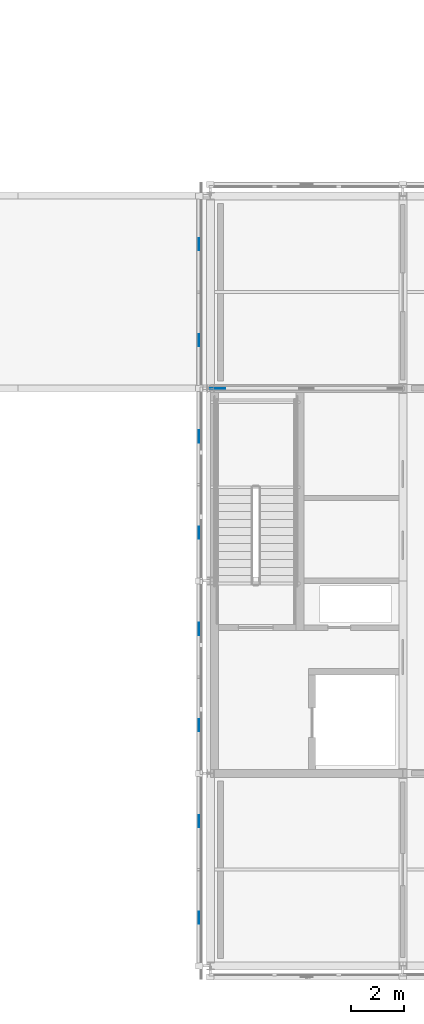
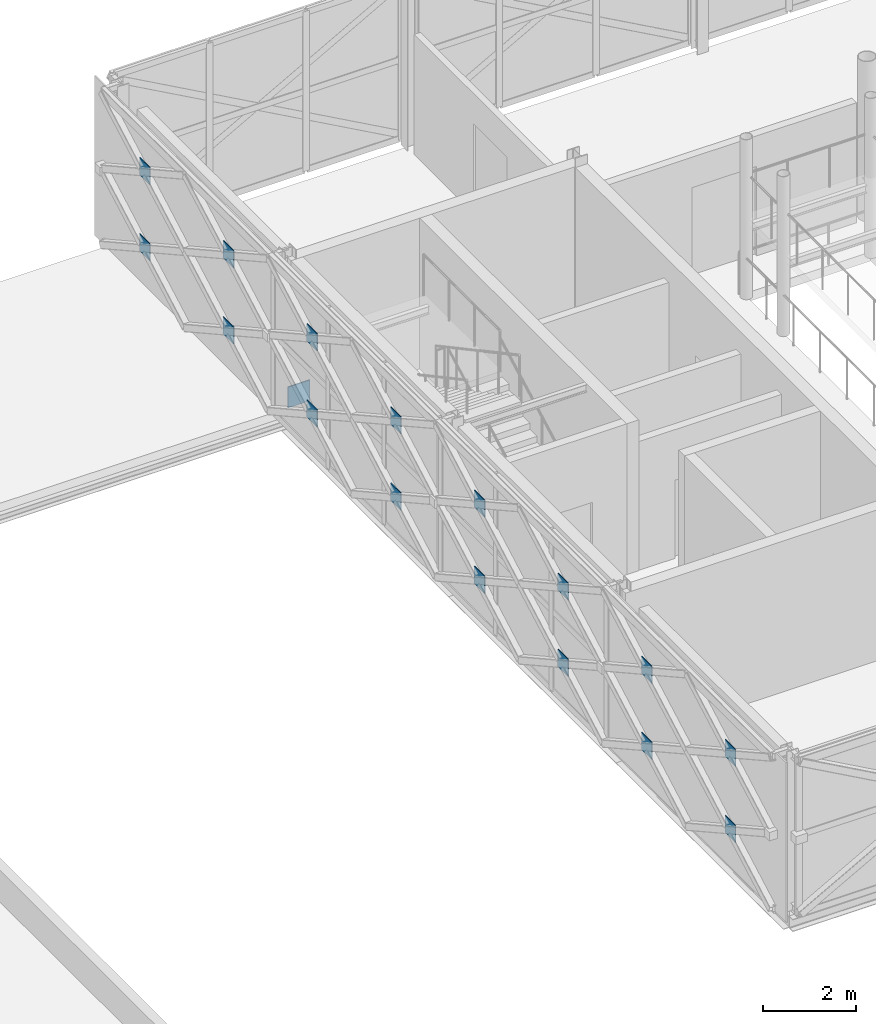
# One storey, part 72 of 103: 17 plates.
"""IFC4 building model written with IfcOpenShell, lengths in metres."""

from ifc_helpers import new_model, si_unit, direction, frame, origin, origin_2d, place, context, subcontext, project, spatial, rectangle, extrude, material, layer, layer_set, type_object, element, save


model = new_model("IFC4")

# Units and contexts
model_context = context("Model", 3, precision=1e-05, world=origin(), true_north=direction((0.0, 1.0)))
body_context = subcontext(model_context, "Body", "Model", "MODEL_VIEW")
ifc_project = project(units=[si_unit("LENGTHUNIT", "METRE"), si_unit("AREAUNIT", "SQUARE_METRE"), si_unit("VOLUMEUNIT", "CUBIC_METRE"), si_unit("PLANEANGLEUNIT", "RADIAN"), si_unit("MASSUNIT", "GRAM", prefix="KILO")], contexts=[model_context])

# Site, building, storey
site_placement = place(None, origin())
site = spatial("IfcSite", under=ifc_project, at=site_placement, CompositionType="ELEMENT")
building_placement = place(site_placement, origin())
building = spatial("IfcBuilding", under=site, at=building_placement, Name="Zlatovets Crest Museum", CompositionType="ELEMENT")
storey_placement = place(building_placement, frame((0.0, 0.0, 12.89990234375)))
storey = spatial("IfcBuildingStorey", under=building, at=storey_placement, Name="L03", CompositionType="ELEMENT", Elevation=12.89990234375)

# Plates
ifc_material = material(Name="Structural steel S355J2", Category="steel")
ifc_layer_1 = layer(ifc_material, 0.02490234375)
ifc_layer_set_1 = layer_set([ifc_layer_1], Name="Structural steel S355J2")
plate_type_1 = type_object("IfcPlateType", Name="Gusset_GP-01", PredefinedType="USERDEFINED", material=ifc_layer_set_1)
plate_placement = place(storey_placement, frame((57.8798828125, 21.60009765625, 0.0048828125), z_axis=(0.0, 0.0, 1.0), x_axis=(1.0, 0.0, 0.0)))
element("IfcPlate", 1, at=plate_placement, inside=storey, type_object=plate_type_1, Name="V2 L03 Brace End Gusset Plate GP-01", ObjectType="GUSSET", PredefinedType="USERDEFINED", context=body_context, shape_type="SweptSolid", body=[
    extrude(rectangle(XDim=0.550048828125, YDim=0.02490234375, at=origin_2d()), origin(), (0.0, 0.0, 1.0), 0.550048828125),
])
ifc_layer_2 = layer(ifc_material, 0.02001953125)
ifc_layer_set_2 = layer_set([ifc_layer_2], Name="Structural steel S355J2")
plate_type_2 = type_object("IfcPlateType", Name="Gusset_GP-04", PredefinedType="USERDEFINED", material=ifc_layer_set_2)
for number, where, z_axis, x_axis, name in (
    (2, (57.179931640625, 27.0, 0.875), (0.0, 0.0, 1.0), (1.0, 0.0, 0.0), "X-Brace Crossing Node Gusset Plate GP-04"),
    (3, (57.179931640625, 23.39990234375, 0.875), (0.0, 0.0, 1.0), (1.0, 0.0, 0.0), "X-Brace Crossing Node Gusset Plate GP-04"),
    (4, (57.179931640625, 27.0, 2.875), (0.0, 0.0, 1.0), (1.0, 0.0, 0.0), "X-Brace Crossing Node Gusset Plate GP-04"),
    (5, (57.179931640625, 23.39990234375, 2.875), (0.0, 0.0, 1.0), (1.0, 0.0, 0.0), "X-Brace Crossing Node Gusset Plate GP-04"),
    (6, (57.179931640625, 19.800048828125, 0.875), (0.0, 0.0, 1.0), (1.0, 0.0, 0.0), "X-Brace Crossing Node Gusset Plate GP-04"),
    (7, (57.179931640625, 16.199951171875, 0.875), (0.0, 0.0, 1.0), (1.0, 0.0, 0.0), "X-Brace Crossing Node Gusset Plate GP-04"),
    (8, (57.179931640625, 19.800048828125, 2.875), (0.0, 0.0, 1.0), (1.0, 0.0, 0.0), "X-Brace Crossing Node Gusset Plate GP-04"),
    (9, (57.179931640625, 16.199951171875, 2.875), (0.0, 0.0, 1.0), (1.0, 0.0, 0.0), "X-Brace Crossing Node Gusset Plate GP-04"),
    (10, (57.179931640625, 12.60009765625, 0.875), (0.0, 0.0, 1.0), (1.0, 0.0, 0.0), "X-Brace Crossing Node Gusset Plate GP-04"),
    (11, (57.179931640625, 9.0, 0.875), (0.0, 0.0, 1.0), (1.0, 0.0, 0.0), "X-Brace Crossing Node Gusset Plate GP-04"),
    (12, (57.179931640625, 12.60009765625, 2.875), (0.0, 0.0, 1.0), (1.0, 0.0, 0.0), "X-Brace Crossing Node Gusset Plate GP-04"),
    (13, (57.179931640625, 9.0, 2.875), (0.0, 0.0, 1.0), (1.0, 0.0, 0.0), "X-Brace Crossing Node Gusset Plate GP-04"),
    (14, (57.179931640625, 5.39990234375, 0.875), (0.0, 0.0, 1.0), (1.0, 0.0, 0.0), "X-Brace Crossing Node Gusset Plate GP-04"),
    (15, (57.179931640625, 1.800048828125, 0.875), (0.0, 0.0, 1.0), (1.0, 0.0, 0.0), "X-Brace Crossing Node Gusset Plate GP-04"),
    (16, (57.179931640625, 5.39990234375, 2.875), (0.0, 0.0, 1.0), (1.0, 0.0, 0.0), "X-Brace Crossing Node Gusset Plate GP-04"),
    (17, (57.179931640625, 1.800048828125, 2.875), (0.0, 0.0, 1.0), (1.0, 0.0, 0.0), "X-Brace Crossing Node Gusset Plate GP-04"),
):
    element("IfcPlate", number, at=place(storey_placement, frame(where, z_axis=z_axis, x_axis=x_axis)), inside=storey, type_object=plate_type_2, Name=name, ObjectType="GUSSET", PredefinedType="USERDEFINED", context=body_context, shape_type="SweptSolid", body=[
        extrude(rectangle(XDim=0.02001953125, YDim=0.449951171875, at=origin_2d()), origin(), (0.0, 0.0, 1.0), 0.449951171875),
    ])

save(model, "model.ifc")
